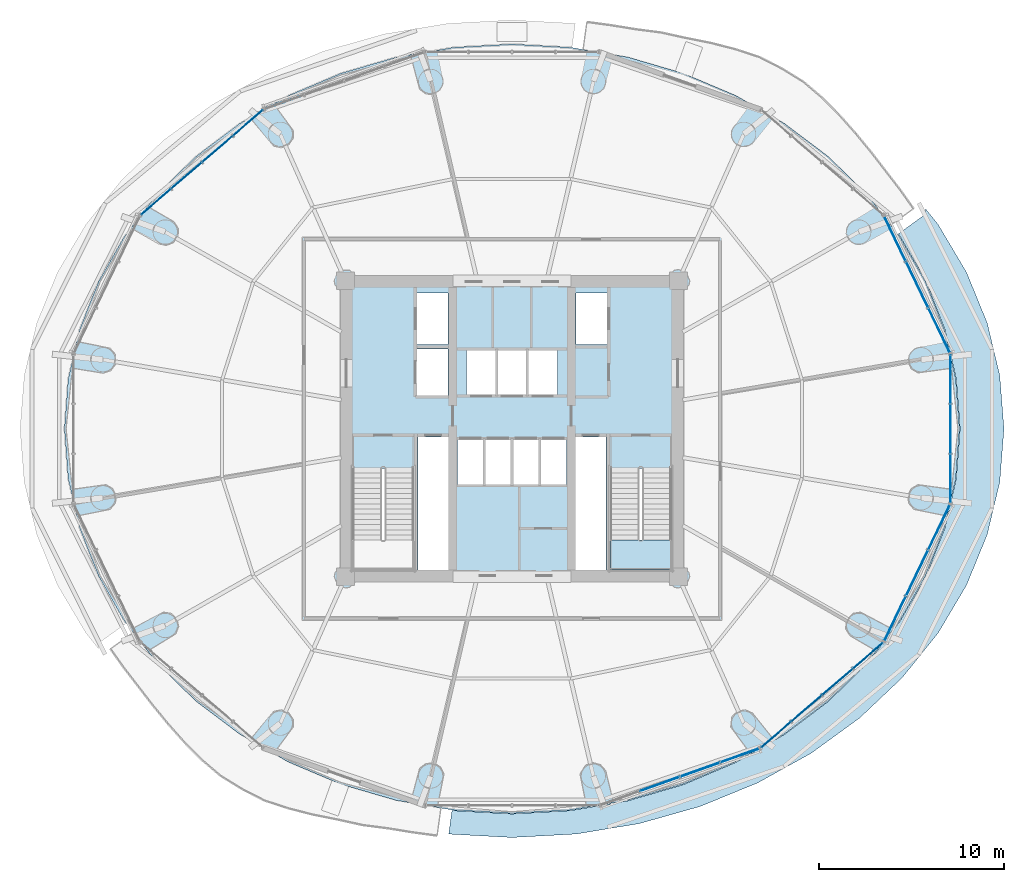
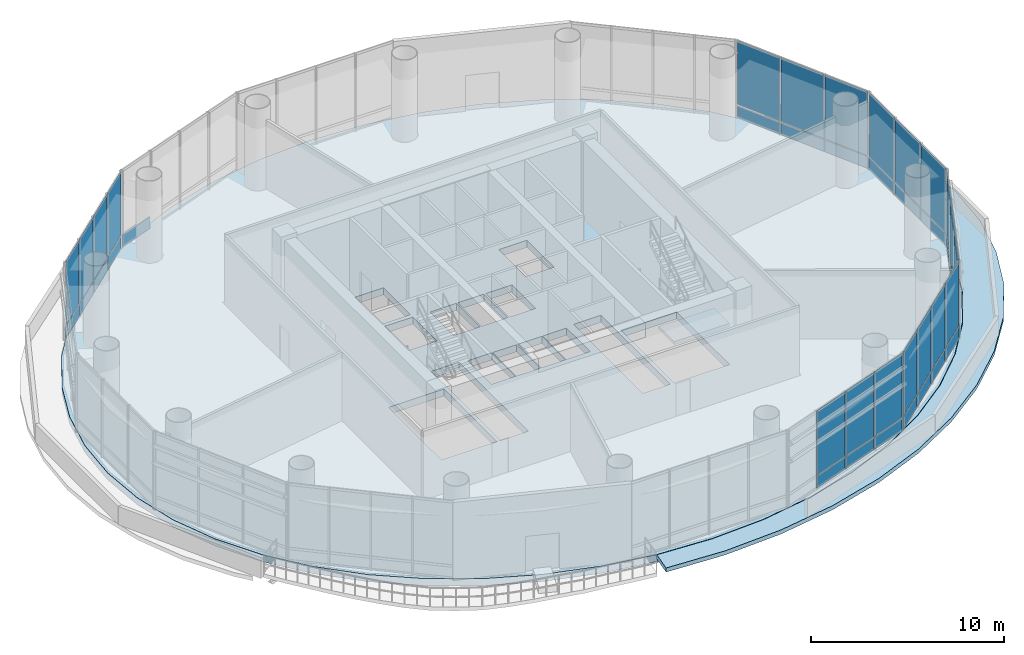
# One storey, part 20 of 29: 41 plates, 3 slabs, 8 elements without a shape of their own.
"""IFC4 building model written with IfcOpenShell, lengths in metres."""

from ifc_helpers import new_model, si_unit, direction, frame, origin, origin_2d, place, context, subcontext, project, spatial, polyline, rectangle, outline, extrude, source, transform, mapped, material, layer, layer_set, type_object, element, aggregate, save


model = new_model("IFC4")

# Units and contexts
model_context = context("Model", 3, precision=1e-05, world=origin(), true_north=direction((-0.2419218956, 0.970295726276)))
body_context = subcontext(model_context, "Body", "Model", "MODEL_VIEW")
ifc_project = project(units=[si_unit("LENGTHUNIT", "METRE"), si_unit("AREAUNIT", "SQUARE_METRE"), si_unit("VOLUMEUNIT", "CUBIC_METRE"), si_unit("PLANEANGLEUNIT", "RADIAN"), si_unit("MASSUNIT", "GRAM", prefix="KILO")], contexts=[model_context])

# Site, building, storey
site_placement = place(None, origin())
site = spatial("IfcSite", under=ifc_project, at=site_placement, CompositionType="ELEMENT")
building_placement = place(site_placement, origin())
building = spatial("IfcBuilding", under=site, at=building_placement, Name="Cobrevalo Terracotta Tower", CompositionType="ELEMENT")
storey_placement = place(building_placement, frame((0.0, 0.0, 130.199951171875)))
storey = spatial("IfcBuildingStorey", under=building, at=storey_placement, Name="L34", CompositionType="ELEMENT", Elevation=130.199951171875)

# Stair, slab
ifc_material_1 = material(Name="Concrete C50", Category="concrete")
stair_type = type_object("IfcStairType", Name="Core protected escape dogleg stair 1600", PredefinedType="HALF_TURN_STAIR", material=ifc_material_1)
stair_placement = place(storey_placement, origin())
stair = element("IfcStair", 1, at=stair_placement, inside=storey, type_object=stair_type, Name="L34 Protected exit stair ST-2", PredefinedType="HALF_TURN_STAIR")
ifc_layer_1 = layer(ifc_material_1, 0.199951171875)
ifc_layer_set_1 = layer_set([ifc_layer_1], Name="Concrete C50")
slab_type_1 = type_object("IfcSlabType", Name="Reinforced Concrete Stair Landing 200", PredefinedType="LANDING", material=ifc_layer_set_1)
slab_1_placement = place(storey_placement, frame((0.0, 0.0, 2.400146484375)))
slab_1 = element("IfcSlab", 2, at=slab_1_placement, type_object=slab_type_1, Name="ST-2 landing 1", PredefinedType="LANDING", context=body_context, shape_type="SweptSolid", body=[
    extrude(outline(polyline([(43.304931640625, 20.780029296875), (43.304931640625, 19.175048828125), (46.625, 19.175048828125), (46.625, 20.780029296875), (43.304931640625, 20.780029296875)])), origin(), (0.0, 0.0, 1.0), 0.199951171875),
])
aggregate(stair, [slab_1])

# Slabs
ifc_material_2 = material(Name="Concrete C55", Category="concrete")
ifc_layer_2 = layer(ifc_material_2, 0.449951171875)
ifc_layer_set_2 = layer_set([ifc_layer_2], Name="Concrete C55")
slab_type_2 = type_object("IfcSlabType", Name="Structural transfer deck slab 450 mm", PredefinedType="FLOOR", material=ifc_layer_set_2)
slab_2_placement = place(storey_placement, frame((0.0, 0.0, -0.449951171875)))
element("IfcSlab", 3, at=slab_2_placement, inside=storey, type_object=slab_type_2, Name="L34 indoor elliptical floor slab", PredefinedType="FLOOR", context=body_context, shape_type="SweptSolid", body=[
    extrude(outline(polyline([(61.992919921875, 24.0849609375), (61.37548828125, 21.41650390625), (60.35791015625, 18.840087890625), (58.957763671875, 16.39990234375), (57.19921875, 14.1376953125), (55.112060546875, 12.09228515625), (52.73193359375, 10.29833984375), (50.10009765625, 8.78662109375), (47.260986328125, 7.583251953125), (44.263427734375, 6.708740234375), (41.15869140625, 6.177978515625), (38.0, 6.0), (34.84130859375, 6.177978515625), (31.736572265625, 6.708740234375), (28.739013671875, 7.583251953125), (25.89990234375, 8.78662109375), (23.26806640625, 10.29833984375), (20.887939453125, 12.09228515625), (18.80078125, 14.1376953125), (17.042236328125, 16.39990234375), (15.64208984375, 18.840087890625), (14.62451171875, 21.41650390625), (14.007080078125, 24.0849609375), (13.800048828125, 26.800048828125), (14.007080078125, 29.514892578125), (14.62451171875, 32.183349609375), (15.64208984375, 34.759765625), (17.042236328125, 37.199951171875), (18.80078125, 39.462158203125), (20.887939453125, 41.5078125), (23.26806640625, 43.3017578125), (25.89990234375, 44.813232421875), (28.739013671875, 46.0166015625), (31.736572265625, 46.891357421875), (34.84130859375, 47.422119140625), (38.0, 47.60009765625), (41.15869140625, 47.422119140625), (44.263427734375, 46.891357421875), (47.260986328125, 46.0166015625), (50.10009765625, 44.813232421875), (52.73193359375, 43.3017578125), (55.112060546875, 41.5078125), (57.19921875, 39.462158203125), (58.957763671875, 37.199951171875), (60.35791015625, 34.759765625), (61.37548828125, 32.183349609375), (61.992919921875, 29.514892578125), (62.199951171875, 26.800048828125), (61.992919921875, 24.0849609375)]), holes=[polyline([(32.695068359375, 19.175048828125), (32.695068359375, 24.659912109375), (29.375, 24.659912109375), (29.375, 19.175048828125), (32.695068359375, 19.175048828125)]), polyline([(34.574951171875, 19.175048828125), (34.574951171875, 26.360107421875), (32.919921875, 26.360107421875), (32.919921875, 19.175048828125), (34.574951171875, 19.175048828125)]), polyline([(36.47998046875, 23.800048828125), (36.47998046875, 26.25), (35.050048828125, 26.25), (35.050048828125, 23.800048828125), (36.47998046875, 23.800048828125)]), polyline([(37.9599609375, 23.800048828125), (37.9599609375, 26.25), (36.530029296875, 26.25), (36.530029296875, 23.800048828125), (37.9599609375, 23.800048828125)]), polyline([(37.1201171875, 28.60009765625), (37.1201171875, 31.050048828125), (35.550048828125, 31.050048828125), (35.550048828125, 28.60009765625), (37.1201171875, 28.60009765625)]), polyline([(34.550048828125, 28.60009765625), (34.550048828125, 31.10009765625), (32.85009765625, 31.10009765625), (32.85009765625, 28.60009765625), (34.550048828125, 28.60009765625)]), polyline([(34.550048828125, 31.35009765625), (34.550048828125, 34.14990234375), (32.85009765625, 34.14990234375), (32.85009765625, 31.35009765625), (34.550048828125, 31.35009765625)]), polyline([(46.625, 19.175048828125), (46.625, 24.659912109375), (43.304931640625, 24.659912109375), (43.304931640625, 19.175048828125), (46.625, 19.175048828125)]), polyline([(43.080078125, 19.175048828125), (43.080078125, 26.360107421875), (41.425048828125, 26.360107421875), (41.425048828125, 19.175048828125), (43.080078125, 19.175048828125)]), polyline([(39.469970703125, 23.800048828125), (39.469970703125, 26.25), (38.0400390625, 26.25), (38.0400390625, 23.800048828125), (39.469970703125, 23.800048828125)]), polyline([(40.949951171875, 23.800048828125), (40.949951171875, 26.25), (39.52001953125, 26.25), (39.52001953125, 23.800048828125), (40.949951171875, 23.800048828125)]), polyline([(38.780029296875, 28.60009765625), (38.780029296875, 31.050048828125), (37.219970703125, 31.050048828125), (37.219970703125, 28.60009765625), (38.780029296875, 28.60009765625)]), polyline([(40.449951171875, 28.60009765625), (40.449951171875, 31.050048828125), (38.8798828125, 31.050048828125), (38.8798828125, 28.60009765625), (40.449951171875, 28.60009765625)]), polyline([(43.14990234375, 31.35009765625), (43.14990234375, 34.14990234375), (41.449951171875, 34.14990234375), (41.449951171875, 31.35009765625), (43.14990234375, 31.35009765625)])]), origin(), (0.0, 0.0, 1.0), 0.449951171875),
])
ifc_material_3 = material(Name="Concrete C45", Category="concrete")
ifc_layer_3 = layer(ifc_material_3, 0.260009765625)
ifc_layer_set_3 = layer_set([ifc_layer_3], Name="Concrete C45")
slab_type_3 = type_object("IfcSlabType", Name="Zone setback structural roof slab 260 mm", PredefinedType="ROOF", material=ifc_layer_set_3)
slab_3_placement = place(storey_placement, frame((0.0, 0.0, -0.260009765625)))
element("IfcSlab", 4, at=slab_3_placement, inside=storey, type_object=slab_type_3, Name="L34 zone setback roof collar slab 1", PredefinedType="ROOF", context=body_context, shape_type="SweptSolid", body=[
    extrude(outline(polyline([(63.693603515625, 21.080078125), (62.5751953125, 18.3427734375), (61.036376953125, 15.75), (59.103271484375, 13.346435546875), (56.80908203125, 11.1728515625), (54.193115234375, 9.266845703125), (51.300048828125, 7.660888671875), (48.179443359375, 6.38232421875), (44.884521484375, 5.453125), (41.471923828125, 4.88916015625), (38.0, 4.699951171875), (34.576171875, 4.886474609375), (34.75390625, 6.172607421875), (34.838623046875, 6.158203125), (38.0, 5.97998046875), (41.161376953125, 6.158203125), (44.2685546875, 6.689453125), (47.2685546875, 7.56494140625), (50.110107421875, 8.769287109375), (52.744140625, 10.282470703125), (55.126220703125, 12.078125), (57.215087890625, 14.12548828125), (58.97509765625, 16.389892578125), (60.37646484375, 18.83251953125), (61.394775390625, 21.411376953125), (62.0126953125, 24.08251953125), (62.219970703125, 26.800048828125), (62.0126953125, 29.517578125), (61.394775390625, 32.188720703125), (60.37646484375, 34.767578125), (58.97509765625, 37.2099609375), (58.87939453125, 37.3330078125), (60.124267578125, 38.237060546875), (60.169677734375, 38.273681640625), (60.21142578125, 38.314453125), (60.2490234375, 38.359130859375), (60.2822265625, 38.407470703125), (60.310302734375, 38.45849609375), (60.33349609375, 38.51220703125), (60.351318359375, 38.56787109375), (60.363525390625, 38.625), (60.369873046875, 38.6787109375), (61.036376953125, 37.85009765625), (62.5751953125, 35.25732421875), (63.693603515625, 32.52001953125), (64.372314453125, 29.6845703125), (64.60009765625, 26.800048828125), (64.372314453125, 23.915283203125), (63.693603515625, 21.080078125)])), origin(), (0.0, 0.0, 1.0), 0.260009765625),
])

# Curtain wall, plates
ifc_material_4 = material(Name="Anodized aluminium", Category="aluminium")
curtain_wall_type = type_object("IfcCurtainWallType", Name="Double-height sky-lobby panoramic curtain wall CW-SK", PredefinedType="NOTDEFINED", material=ifc_material_4)
curtain_wall_1_placement = place(storey_placement, origin())
curtain_wall_1 = element("IfcCurtainWall", 5, at=curtain_wall_1_placement, inside=storey, type_object=curtain_wall_type, Name="L34 curtain wall CW-SK-L34-S01", PredefinedType="NOTDEFINED")
ifc_material_5 = material(Name="Terracotta-faced insulated spandrel", Category="masonry")
ifc_layer_4 = layer(ifc_material_5, 0.044921875)
ifc_layer_set_4 = layer_set([ifc_layer_4], Name="Terracotta-faced insulated spandrel")
plate_type_1 = type_object("IfcPlateType", Name="Insulated terracotta-faced spandrel cassette 45 mm", PredefinedType="CURTAIN_PANEL", material=ifc_layer_set_4)
shared_shape_1 = source(origin(), body_context, "Body", "SweptSolid", [
    extrude(rectangle(XDim=2.650390625, YDim=0.044921875, at=origin_2d()), origin(), (0.0, 0.0, 1.0), 0.739990234375),
])
plate_1_placement = place(storey_placement, frame((61.095458984375, 32.117919921875, 0.0400390625), z_axis=(0.0, 0.0, 1.0), x_axis=(-0.434209440271, 0.900811945957, 0.0)))
plate_1 = element("IfcPlate", 6, at=plate_1_placement, type_object=plate_type_1, Name="CW-SK-L34-S01 terracotta spandrel panel B01", PredefinedType="CURTAIN_PANEL", context=body_context, shape_type="MappedRepresentation", body=[
    mapped(shared_shape_1, transform((0.0, 0.0, 0.0), scale=1.0)),
])
plate_2_placement = place(storey_placement, frame((58.706787109375, 37.0732421875, 0.0400390625), z_axis=(0.0, 0.0, 1.0), x_axis=(-0.434209440271, 0.900811945957, 0.0)))
plate_2 = element("IfcPlate", 7, at=plate_2_placement, type_object=plate_type_1, Name="CW-SK-L34-S01 terracotta spandrel panel B03", PredefinedType="CURTAIN_PANEL", context=body_context, shape_type="MappedRepresentation", body=[
    mapped(shared_shape_1, transform((0.0, 0.0, 0.0), scale=1.0)),
])

curtain_wall_2_placement = place(storey_placement, origin())
curtain_wall_2 = element("IfcCurtainWall", 8, at=curtain_wall_2_placement, inside=storey, type_object=curtain_wall_type, Name="L34 curtain wall CW-SK-L34-S15", PredefinedType="NOTDEFINED")
plate_3_placement = place(storey_placement, frame((58.706787109375, 16.526611328125, 0.0400390625), z_axis=(0.0, 0.0, 1.0), x_axis=(0.434209440271, 0.900811945957, 0.0)))
plate_3 = element("IfcPlate", 9, at=plate_3_placement, type_object=plate_type_1, Name="CW-SK-L34-S15 terracotta spandrel panel B01", PredefinedType="CURTAIN_PANEL", context=body_context, shape_type="MappedRepresentation", body=[
    mapped(shared_shape_1, transform((0.0, 0.0, 0.0), scale=1.0)),
])
plate_4_placement = place(storey_placement, frame((61.095458984375, 21.482177734375, 0.0400390625), z_axis=(0.0, 0.0, 1.0), x_axis=(0.434209440271, 0.900811945957, 0.0)))
plate_4 = element("IfcPlate", 10, at=plate_4_placement, type_object=plate_type_1, Name="CW-SK-L34-S15 terracotta spandrel panel B03", PredefinedType="CURTAIN_PANEL", context=body_context, shape_type="MappedRepresentation", body=[
    mapped(shared_shape_1, transform((0.0, 0.0, 0.0), scale=1.0)),
])

# Plate
ifc_material_6 = material(Name="Laminated low-E double glazing", Category="glass")
ifc_layer_5 = layer(ifc_material_6, 0.031982421875)
ifc_layer_set_5 = layer_set([ifc_layer_5], Name="Laminated low-E double glazing")
plate_type_2 = type_object("IfcPlateType", Name="Podium clear acoustic laminated glazing panel 32 mm", PredefinedType="CURTAIN_PANEL", material=ifc_layer_set_5)
shared_shape_2 = source(origin(), body_context, "Body", "SweptSolid", [
    extrude(rectangle(XDim=2.650390625, YDim=0.035888671875, at=origin_2d()), origin(), (0.0, 0.0, 1.0), 4.030029296875),
])
plate_5_placement = place(storey_placement, frame((61.095458984375, 32.117919921875, 0.85986328125), z_axis=(0.0, 0.0, 1.0), x_axis=(-0.434209440271, 0.900811945957, 0.0)))
plate_5 = element("IfcPlate", 11, at=plate_5_placement, type_object=plate_type_2, Name="CW-SK-L34-S01 glazing panel B01", PredefinedType="CURTAIN_PANEL", context=body_context, shape_type="MappedRepresentation", body=[
    mapped(shared_shape_2, transform((0.0, 0.0, 0.0), scale=1.0)),
])

plate_6_placement = place(storey_placement, frame((58.706787109375, 37.0732421875, 0.85986328125), z_axis=(0.0, 0.0, 1.0), x_axis=(-0.434209440271, 0.900811945957, 0.0)))
plate_6 = element("IfcPlate", 12, at=plate_6_placement, type_object=plate_type_2, Name="CW-SK-L34-S01 glazing panel B03", PredefinedType="CURTAIN_PANEL", context=body_context, shape_type="MappedRepresentation", body=[
    mapped(shared_shape_2, transform((0.0, 0.0, 0.0), scale=1.0)),
])

plate_7_placement = place(storey_placement, frame((58.706787109375, 16.526611328125, 0.85986328125), z_axis=(0.0, 0.0, 1.0), x_axis=(0.434209440271, 0.900811945957, 0.0)))
plate_7 = element("IfcPlate", 13, at=plate_7_placement, type_object=plate_type_2, Name="CW-SK-L34-S15 glazing panel B01", PredefinedType="CURTAIN_PANEL", context=body_context, shape_type="MappedRepresentation", body=[
    mapped(shared_shape_2, transform((0.0, 0.0, 0.0), scale=1.0)),
])

plate_8_placement = place(storey_placement, frame((61.095458984375, 21.482177734375, 0.85986328125), z_axis=(0.0, 0.0, 1.0), x_axis=(0.434209440271, 0.900811945957, 0.0)))
plate_8 = element("IfcPlate", 14, at=plate_8_placement, type_object=plate_type_2, Name="CW-SK-L34-S15 glazing panel B03", PredefinedType="CURTAIN_PANEL", context=body_context, shape_type="MappedRepresentation", body=[
    mapped(shared_shape_2, transform((0.0, 0.0, 0.0), scale=1.0)),
])

shared_shape_3 = source(origin(), body_context, "Body", "SweptSolid", [
    extrude(rectangle(XDim=2.6904296875, YDim=0.044921875, at=origin_2d()), origin(), (0.0, 0.0, 1.0), 0.739990234375),
])
plate_9_placement = place(storey_placement, frame((59.901123046875, 34.595703125, 0.0400390625), z_axis=(0.0, 0.0, 1.0), x_axis=(-0.434209440271, 0.900811945957, 0.0)))
plate_9 = element("IfcPlate", 15, at=plate_9_placement, type_object=plate_type_1, Name="CW-SK-L34-S01 terracotta spandrel panel B02", PredefinedType="CURTAIN_PANEL", context=body_context, shape_type="MappedRepresentation", body=[
    mapped(shared_shape_3, transform((0.0, 0.0, 0.0), scale=1.0)),
])

plate_10_placement = place(storey_placement, frame((59.901123046875, 19.00439453125, 0.0400390625), z_axis=(0.0, 0.0, 1.0), x_axis=(0.434209440271, 0.900811945957, 0.0)))
plate_10 = element("IfcPlate", 16, at=plate_10_placement, type_object=plate_type_1, Name="CW-SK-L34-S15 terracotta spandrel panel B02", PredefinedType="CURTAIN_PANEL", context=body_context, shape_type="MappedRepresentation", body=[
    mapped(shared_shape_3, transform((0.0, 0.0, 0.0), scale=1.0)),
])

shared_shape_4 = source(origin(), body_context, "Body", "SweptSolid", [
    extrude(rectangle(XDim=2.6904296875, YDim=0.035888671875, at=origin_2d()), origin(), (0.0, 0.0, 1.0), 4.030029296875),
])
plate_11_placement = place(storey_placement, frame((59.901123046875, 34.595703125, 0.85986328125), z_axis=(0.0, 0.0, 1.0), x_axis=(-0.434209440271, 0.900811945957, 0.0)))
plate_11 = element("IfcPlate", 17, at=plate_11_placement, type_object=plate_type_2, Name="CW-SK-L34-S01 glazing panel B02", PredefinedType="CURTAIN_PANEL", context=body_context, shape_type="MappedRepresentation", body=[
    mapped(shared_shape_4, transform((0.0, 0.0, 0.0), scale=1.0)),
])

aggregate(curtain_wall_1, [plate_1, plate_5, plate_9, plate_11, plate_2, plate_6])

plate_12_placement = place(storey_placement, frame((59.901123046875, 19.00439453125, 0.85986328125), z_axis=(0.0, 0.0, 1.0), x_axis=(0.434209440271, 0.900811945957, 0.0)))
plate_12 = element("IfcPlate", 18, at=plate_12_placement, type_object=plate_type_2, Name="CW-SK-L34-S15 glazing panel B02", PredefinedType="CURTAIN_PANEL", context=body_context, shape_type="MappedRepresentation", body=[
    mapped(shared_shape_4, transform((0.0, 0.0, 0.0), scale=1.0)),
])

aggregate(curtain_wall_2, [plate_3, plate_7, plate_10, plate_12, plate_4, plate_8])

# Curtain wall, plates
curtain_wall_3_placement = place(storey_placement, origin())
curtain_wall_3 = element("IfcCurtainWall", 19, at=curtain_wall_3_placement, inside=storey, type_object=curtain_wall_type, Name="L34 curtain wall CW-SK-L34-S06", PredefinedType="NOTDEFINED")
shared_shape_5 = source(origin(), body_context, "Body", "SweptSolid", [
    extrude(rectangle(XDim=2.078125, YDim=0.044921875, at=origin_2d()), origin(), (0.0, 0.0, 1.0), 0.739990234375),
])
plate_13_placement = place(storey_placement, frame((23.72314453125, 43.34033203125, 0.0400390625), z_axis=(0.0, 0.0, 1.0), x_axis=(-0.758436996112, -0.651746363955, 0.0)))
plate_13 = element("IfcPlate", 20, at=plate_13_placement, type_object=plate_type_1, Name="CW-SK-L34-S06 terracotta spandrel panel B01", PredefinedType="CURTAIN_PANEL", context=body_context, shape_type="MappedRepresentation", body=[
    mapped(shared_shape_5, transform((0.0, 0.0, 0.0), scale=1.0)),
])
plate_14_placement = place(storey_placement, frame((18.752197265625, 39.068603515625, 0.0400390625), z_axis=(0.0, 0.0, 1.0), x_axis=(-0.758436996112, -0.651746363955, 0.0)))
plate_14 = element("IfcPlate", 21, at=plate_14_placement, type_object=plate_type_1, Name="CW-SK-L34-S06 terracotta spandrel panel B04", PredefinedType="CURTAIN_PANEL", context=body_context, shape_type="MappedRepresentation", body=[
    mapped(shared_shape_5, transform((0.0, 0.0, 0.0), scale=1.0)),
])

curtain_wall_4_placement = place(storey_placement, origin())
curtain_wall_4 = element("IfcCurtainWall", 22, at=curtain_wall_4_placement, inside=storey, type_object=curtain_wall_type, Name="L34 curtain wall CW-SK-L34-S14", PredefinedType="NOTDEFINED")
plate_15_placement = place(storey_placement, frame((52.27685546875, 10.259765625, 0.0400390625), z_axis=(0.0, 0.0, 1.0), x_axis=(0.758436996112, 0.651746363955, 0.0)))
plate_15 = element("IfcPlate", 23, at=plate_15_placement, type_object=plate_type_1, Name="CW-SK-L34-S14 terracotta spandrel panel B01", PredefinedType="CURTAIN_PANEL", context=body_context, shape_type="MappedRepresentation", body=[
    mapped(shared_shape_5, transform((0.0, 0.0, 0.0), scale=1.0)),
])
plate_16_placement = place(storey_placement, frame((57.247802734375, 14.531494140625, 0.0400390625), z_axis=(0.0, 0.0, 1.0), x_axis=(0.758436996112, 0.651746363955, 0.0)))
plate_16 = element("IfcPlate", 24, at=plate_16_placement, type_object=plate_type_1, Name="CW-SK-L34-S14 terracotta spandrel panel B04", PredefinedType="CURTAIN_PANEL", context=body_context, shape_type="MappedRepresentation", body=[
    mapped(shared_shape_5, transform((0.0, 0.0, 0.0), scale=1.0)),
])

# Plate
shared_shape_6 = source(origin(), body_context, "Body", "SweptSolid", [
    extrude(rectangle(XDim=2.078125, YDim=0.035888671875, at=origin_2d()), origin(), (0.0, 0.0, 1.0), 4.030029296875),
])
plate_17_placement = place(storey_placement, frame((23.72314453125, 43.34033203125, 0.85986328125), z_axis=(0.0, 0.0, 1.0), x_axis=(-0.758436996112, -0.651746363955, 0.0)))
plate_17 = element("IfcPlate", 25, at=plate_17_placement, type_object=plate_type_2, Name="CW-SK-L34-S06 glazing panel B01", PredefinedType="CURTAIN_PANEL", context=body_context, shape_type="MappedRepresentation", body=[
    mapped(shared_shape_6, transform((0.0, 0.0, 0.0), scale=1.0)),
])

plate_18_placement = place(storey_placement, frame((18.752197265625, 39.068603515625, 0.85986328125), z_axis=(0.0, 0.0, 1.0), x_axis=(-0.758436996112, -0.651746363955, 0.0)))
plate_18 = element("IfcPlate", 26, at=plate_18_placement, type_object=plate_type_2, Name="CW-SK-L34-S06 glazing panel B04", PredefinedType="CURTAIN_PANEL", context=body_context, shape_type="MappedRepresentation", body=[
    mapped(shared_shape_6, transform((0.0, 0.0, 0.0), scale=1.0)),
])

plate_19_placement = place(storey_placement, frame((52.27685546875, 10.259765625, 0.85986328125), z_axis=(0.0, 0.0, 1.0), x_axis=(0.758436996112, 0.651746363955, 0.0)))
plate_19 = element("IfcPlate", 27, at=plate_19_placement, type_object=plate_type_2, Name="CW-SK-L34-S14 glazing panel B01", PredefinedType="CURTAIN_PANEL", context=body_context, shape_type="MappedRepresentation", body=[
    mapped(shared_shape_6, transform((0.0, 0.0, 0.0), scale=1.0)),
])

plate_20_placement = place(storey_placement, frame((57.247802734375, 14.531494140625, 0.85986328125), z_axis=(0.0, 0.0, 1.0), x_axis=(0.758436996112, 0.651746363955, 0.0)))
plate_20 = element("IfcPlate", 28, at=plate_20_placement, type_object=plate_type_2, Name="CW-SK-L34-S14 glazing panel B04", PredefinedType="CURTAIN_PANEL", context=body_context, shape_type="MappedRepresentation", body=[
    mapped(shared_shape_6, transform((0.0, 0.0, 0.0), scale=1.0)),
])

shared_shape_7 = source(origin(), body_context, "Body", "SweptSolid", [
    extrude(rectangle(XDim=2.1181640625, YDim=0.044921875, at=origin_2d()), origin(), (0.0, 0.0, 1.0), 0.739990234375),
])
plate_21_placement = place(storey_placement, frame((22.0712890625, 41.920654296875, 0.0400390625), z_axis=(0.0, 0.0, 1.0), x_axis=(-0.758436996112, -0.651746363955, 0.0)))
plate_21 = element("IfcPlate", 29, at=plate_21_placement, type_object=plate_type_1, Name="CW-SK-L34-S06 terracotta spandrel panel B02", PredefinedType="CURTAIN_PANEL", context=body_context, shape_type="MappedRepresentation", body=[
    mapped(shared_shape_7, transform((0.0, 0.0, 0.0), scale=1.0)),
])

plate_22_placement = place(storey_placement, frame((20.404052734375, 40.488037109375, 0.0400390625), z_axis=(0.0, 0.0, 1.0), x_axis=(-0.758436996112, -0.651746363955, 0.0)))
plate_22 = element("IfcPlate", 30, at=plate_22_placement, type_object=plate_type_1, Name="CW-SK-L34-S06 terracotta spandrel panel B03", PredefinedType="CURTAIN_PANEL", context=body_context, shape_type="MappedRepresentation", body=[
    mapped(shared_shape_7, transform((0.0, 0.0, 0.0), scale=1.0)),
])

plate_23_placement = place(storey_placement, frame((53.9287109375, 11.67919921875, 0.0400390625), z_axis=(0.0, 0.0, 1.0), x_axis=(0.758436996112, 0.651746363955, 0.0)))
plate_23 = element("IfcPlate", 31, at=plate_23_placement, type_object=plate_type_1, Name="CW-SK-L34-S14 terracotta spandrel panel B02", PredefinedType="CURTAIN_PANEL", context=body_context, shape_type="MappedRepresentation", body=[
    mapped(shared_shape_7, transform((0.0, 0.0, 0.0), scale=1.0)),
])

plate_24_placement = place(storey_placement, frame((55.595947265625, 13.11181640625, 0.0400390625), z_axis=(0.0, 0.0, 1.0), x_axis=(0.758436996112, 0.651746363955, 0.0)))
plate_24 = element("IfcPlate", 32, at=plate_24_placement, type_object=plate_type_1, Name="CW-SK-L34-S14 terracotta spandrel panel B03", PredefinedType="CURTAIN_PANEL", context=body_context, shape_type="MappedRepresentation", body=[
    mapped(shared_shape_7, transform((0.0, 0.0, 0.0), scale=1.0)),
])

shared_shape_8 = source(origin(), body_context, "Body", "SweptSolid", [
    extrude(rectangle(XDim=2.1181640625, YDim=0.035888671875, at=origin_2d()), origin(), (0.0, 0.0, 1.0), 4.030029296875),
])
plate_25_placement = place(storey_placement, frame((22.0712890625, 41.920654296875, 0.85986328125), z_axis=(0.0, 0.0, 1.0), x_axis=(-0.758436996112, -0.651746363955, 0.0)))
plate_25 = element("IfcPlate", 33, at=plate_25_placement, type_object=plate_type_2, Name="CW-SK-L34-S06 glazing panel B02", PredefinedType="CURTAIN_PANEL", context=body_context, shape_type="MappedRepresentation", body=[
    mapped(shared_shape_8, transform((0.0, 0.0, 0.0), scale=1.0)),
])

plate_26_placement = place(storey_placement, frame((20.404052734375, 40.488037109375, 0.85986328125), z_axis=(0.0, 0.0, 1.0), x_axis=(-0.758436996112, -0.651746363955, 0.0)))
plate_26 = element("IfcPlate", 34, at=plate_26_placement, type_object=plate_type_2, Name="CW-SK-L34-S06 glazing panel B03", PredefinedType="CURTAIN_PANEL", context=body_context, shape_type="MappedRepresentation", body=[
    mapped(shared_shape_8, transform((0.0, 0.0, 0.0), scale=1.0)),
])

aggregate(curtain_wall_3, [plate_13, plate_17, plate_21, plate_25, plate_22, plate_26, plate_14, plate_18])

plate_27_placement = place(storey_placement, frame((53.9287109375, 11.67919921875, 0.85986328125), z_axis=(0.0, 0.0, 1.0), x_axis=(0.758436996112, 0.651746363955, 0.0)))
plate_27 = element("IfcPlate", 35, at=plate_27_placement, type_object=plate_type_2, Name="CW-SK-L34-S14 glazing panel B02", PredefinedType="CURTAIN_PANEL", context=body_context, shape_type="MappedRepresentation", body=[
    mapped(shared_shape_8, transform((0.0, 0.0, 0.0), scale=1.0)),
])

plate_28_placement = place(storey_placement, frame((55.595947265625, 13.11181640625, 0.85986328125), z_axis=(0.0, 0.0, 1.0), x_axis=(0.758436996112, 0.651746363955, 0.0)))
plate_28 = element("IfcPlate", 36, at=plate_28_placement, type_object=plate_type_2, Name="CW-SK-L34-S14 glazing panel B03", PredefinedType="CURTAIN_PANEL", context=body_context, shape_type="MappedRepresentation", body=[
    mapped(shared_shape_8, transform((0.0, 0.0, 0.0), scale=1.0)),
])

aggregate(curtain_wall_4, [plate_15, plate_19, plate_23, plate_27, plate_24, plate_28, plate_16, plate_20])

# Curtain wall, plate
curtain_wall_5_placement = place(storey_placement, origin())
curtain_wall_5 = element("IfcCurtainWall", 37, at=curtain_wall_5_placement, inside=storey, type_object=curtain_wall_type, Name="L34 curtain wall CW-SK-L34-S05", PredefinedType="NOTDEFINED")
shared_shape_9 = source(origin(), body_context, "Body", "SweptSolid", [
    extrude(rectangle(XDim=2.192138671875, YDim=0.044921875, at=origin_2d()), origin(), (0.0, 0.0, 1.0), 0.739990234375),
])
plate_29_placement = place(storey_placement, frame((25.6796875, 44.464111328125, 0.0400390625), z_axis=(0.0, 0.0, 1.0), x_axis=(-0.942098428897, -0.335336473217, 0.0)))
plate_29 = element("IfcPlate", 38, at=plate_29_placement, type_object=plate_type_1, Name="CW-SK-L34-S05 terracotta spandrel panel B04", PredefinedType="CURTAIN_PANEL", context=body_context, shape_type="MappedRepresentation", body=[
    mapped(shared_shape_9, transform((0.0, 0.0, 0.0), scale=1.0)),
])
aggregate(curtain_wall_5, [plate_29])

# Curtain wall, plates
curtain_wall_6_placement = place(storey_placement, origin())
curtain_wall_6 = element("IfcCurtainWall", 39, at=curtain_wall_6_placement, inside=storey, type_object=curtain_wall_type, Name="L34 curtain wall CW-SK-L34-S13", PredefinedType="NOTDEFINED")
plate_30_placement = place(storey_placement, frame((50.3203125, 9.135986328125, 0.0400390625), z_axis=(0.0, 0.0, 1.0), x_axis=(0.942098428897, 0.335336473217, 0.0)))
plate_30 = element("IfcPlate", 40, at=plate_30_placement, type_object=plate_type_1, Name="CW-SK-L34-S13 terracotta spandrel panel B04", PredefinedType="CURTAIN_PANEL", context=body_context, shape_type="MappedRepresentation", body=[
    mapped(shared_shape_9, transform((0.0, 0.0, 0.0), scale=1.0)),
])
shared_shape_10 = source(origin(), body_context, "Body", "SweptSolid", [
    extrude(rectangle(XDim=2.192138671875, YDim=0.035888671875, at=origin_2d()), origin(), (0.0, 0.0, 1.0), 4.030029296875),
])
plate_31_placement = place(storey_placement, frame((50.3203125, 9.135986328125, 0.85986328125), z_axis=(0.0, 0.0, 1.0), x_axis=(0.942098428897, 0.335336473217, 0.0)))
plate_31 = element("IfcPlate", 41, at=plate_31_placement, type_object=plate_type_2, Name="CW-SK-L34-S13 glazing panel B04", PredefinedType="CURTAIN_PANEL", context=body_context, shape_type="MappedRepresentation", body=[
    mapped(shared_shape_10, transform((0.0, 0.0, 0.0), scale=1.0)),
])
shared_shape_11 = source(origin(), body_context, "Body", "SweptSolid", [
    extrude(rectangle(XDim=2.232177734375, YDim=0.044921875, at=origin_2d()), origin(), (0.0, 0.0, 1.0), 0.739990234375),
])
plate_32_placement = place(storey_placement, frame((45.982666015625, 7.592041015625, 0.0400390625), z_axis=(0.0, 0.0, 1.0), x_axis=(0.942098428897, 0.335336473217, 0.0)))
plate_32 = element("IfcPlate", 42, at=plate_32_placement, type_object=plate_type_1, Name="CW-SK-L34-S13 terracotta spandrel panel B02", PredefinedType="CURTAIN_PANEL", context=body_context, shape_type="MappedRepresentation", body=[
    mapped(shared_shape_11, transform((0.0, 0.0, 0.0), scale=1.0)),
])
plate_33_placement = place(storey_placement, frame((48.160888671875, 8.367431640625, 0.0400390625), z_axis=(0.0, 0.0, 1.0), x_axis=(0.942098428897, 0.335336473217, 0.0)))
plate_33 = element("IfcPlate", 43, at=plate_33_placement, type_object=plate_type_1, Name="CW-SK-L34-S13 terracotta spandrel panel B03", PredefinedType="CURTAIN_PANEL", context=body_context, shape_type="MappedRepresentation", body=[
    mapped(shared_shape_11, transform((0.0, 0.0, 0.0), scale=1.0)),
])
shared_shape_12 = source(origin(), body_context, "Body", "SweptSolid", [
    extrude(rectangle(XDim=2.232177734375, YDim=0.035888671875, at=origin_2d()), origin(), (0.0, 0.0, 1.0), 4.030029296875),
])
plate_34_placement = place(storey_placement, frame((45.982666015625, 7.592041015625, 0.85986328125), z_axis=(0.0, 0.0, 1.0), x_axis=(0.942098428897, 0.335336473217, 0.0)))
plate_34 = element("IfcPlate", 44, at=plate_34_placement, type_object=plate_type_2, Name="CW-SK-L34-S13 glazing panel B02", PredefinedType="CURTAIN_PANEL", context=body_context, shape_type="MappedRepresentation", body=[
    mapped(shared_shape_12, transform((0.0, 0.0, 0.0), scale=1.0)),
])
plate_35_placement = place(storey_placement, frame((48.160888671875, 8.367431640625, 0.85986328125), z_axis=(0.0, 0.0, 1.0), x_axis=(0.942098428897, 0.335336473217, 0.0)))
plate_35 = element("IfcPlate", 45, at=plate_35_placement, type_object=plate_type_2, Name="CW-SK-L34-S13 glazing panel B03", PredefinedType="CURTAIN_PANEL", context=body_context, shape_type="MappedRepresentation", body=[
    mapped(shared_shape_12, transform((0.0, 0.0, 0.0), scale=1.0)),
])
aggregate(curtain_wall_6, [plate_32, plate_34, plate_33, plate_35, plate_30, plate_31])

curtain_wall_7_placement = place(storey_placement, origin())
curtain_wall_7 = element("IfcCurtainWall", 46, at=curtain_wall_7_placement, inside=storey, type_object=curtain_wall_type, Name="L34 curtain wall CW-SK-L34-S16", PredefinedType="NOTDEFINED")
shared_shape_13 = source(origin(), body_context, "Body", "SweptSolid", [
    extrude(rectangle(XDim=2.581298828125, YDim=0.044921875, at=origin_2d()), origin(), (0.0, 0.0, 1.0), 0.739990234375),
])
plate_36_placement = place(storey_placement, frame((61.70556640625, 24.11865234375, 0.0400390625), z_axis=(0.0, 0.0, 1.0), x_axis=(0.0, 1.0, 0.0)))
plate_36 = element("IfcPlate", 47, at=plate_36_placement, type_object=plate_type_1, Name="CW-SK-L34-S16 terracotta spandrel panel B01", PredefinedType="CURTAIN_PANEL", context=body_context, shape_type="MappedRepresentation", body=[
    mapped(shared_shape_13, transform((0.0, 0.0, 0.0), scale=1.0)),
])
plate_37_placement = place(storey_placement, frame((61.70556640625, 29.4814453125, 0.0400390625), z_axis=(0.0, 0.0, 1.0), x_axis=(0.0, 1.0, 0.0)))
plate_37 = element("IfcPlate", 48, at=plate_37_placement, type_object=plate_type_1, Name="CW-SK-L34-S16 terracotta spandrel panel B03", PredefinedType="CURTAIN_PANEL", context=body_context, shape_type="MappedRepresentation", body=[
    mapped(shared_shape_13, transform((0.0, 0.0, 0.0), scale=1.0)),
])
shared_shape_14 = source(origin(), body_context, "Body", "SweptSolid", [
    extrude(rectangle(XDim=2.581298828125, YDim=0.035888671875, at=origin_2d()), origin(), (0.0, 0.0, 1.0), 4.030029296875),
])
plate_38_placement = place(storey_placement, frame((61.70556640625, 24.11865234375, 0.85986328125), z_axis=(0.0, 0.0, 1.0), x_axis=(0.0, 1.0, 0.0)))
plate_38 = element("IfcPlate", 49, at=plate_38_placement, type_object=plate_type_2, Name="CW-SK-L34-S16 glazing panel B01", PredefinedType="CURTAIN_PANEL", context=body_context, shape_type="MappedRepresentation", body=[
    mapped(shared_shape_14, transform((0.0, 0.0, 0.0), scale=1.0)),
])
plate_39_placement = place(storey_placement, frame((61.70556640625, 29.4814453125, 0.85986328125), z_axis=(0.0, 0.0, 1.0), x_axis=(0.0, 1.0, 0.0)))
plate_39 = element("IfcPlate", 50, at=plate_39_placement, type_object=plate_type_2, Name="CW-SK-L34-S16 glazing panel B03", PredefinedType="CURTAIN_PANEL", context=body_context, shape_type="MappedRepresentation", body=[
    mapped(shared_shape_14, transform((0.0, 0.0, 0.0), scale=1.0)),
])
shared_shape_15 = source(origin(), body_context, "Body", "SweptSolid", [
    extrude(rectangle(XDim=2.621337890625, YDim=0.044921875, at=origin_2d()), origin(), (0.0, 0.0, 1.0), 0.739990234375),
])
plate_40_placement = place(storey_placement, frame((61.70556640625, 26.800048828125, 0.0400390625), z_axis=(0.0, 0.0, 1.0), x_axis=(0.0, 1.0, 0.0)))
plate_40 = element("IfcPlate", 51, at=plate_40_placement, type_object=plate_type_1, Name="CW-SK-L34-S16 terracotta spandrel panel B02", PredefinedType="CURTAIN_PANEL", context=body_context, shape_type="MappedRepresentation", body=[
    mapped(shared_shape_15, transform((0.0, 0.0, 0.0), scale=1.0)),
])
shared_shape_16 = source(origin(), body_context, "Body", "SweptSolid", [
    extrude(rectangle(XDim=2.621337890625, YDim=0.035888671875, at=origin_2d()), origin(), (0.0, 0.0, 1.0), 4.030029296875),
])
plate_41_placement = place(storey_placement, frame((61.70556640625, 26.800048828125, 0.85986328125), z_axis=(0.0, 0.0, 1.0), x_axis=(0.0, 1.0, 0.0)))
plate_41 = element("IfcPlate", 52, at=plate_41_placement, type_object=plate_type_2, Name="CW-SK-L34-S16 glazing panel B02", PredefinedType="CURTAIN_PANEL", context=body_context, shape_type="MappedRepresentation", body=[
    mapped(shared_shape_16, transform((0.0, 0.0, 0.0), scale=1.0)),
])
aggregate(curtain_wall_7, [plate_36, plate_38, plate_40, plate_41, plate_37, plate_39])

save(model, "model.ifc")
